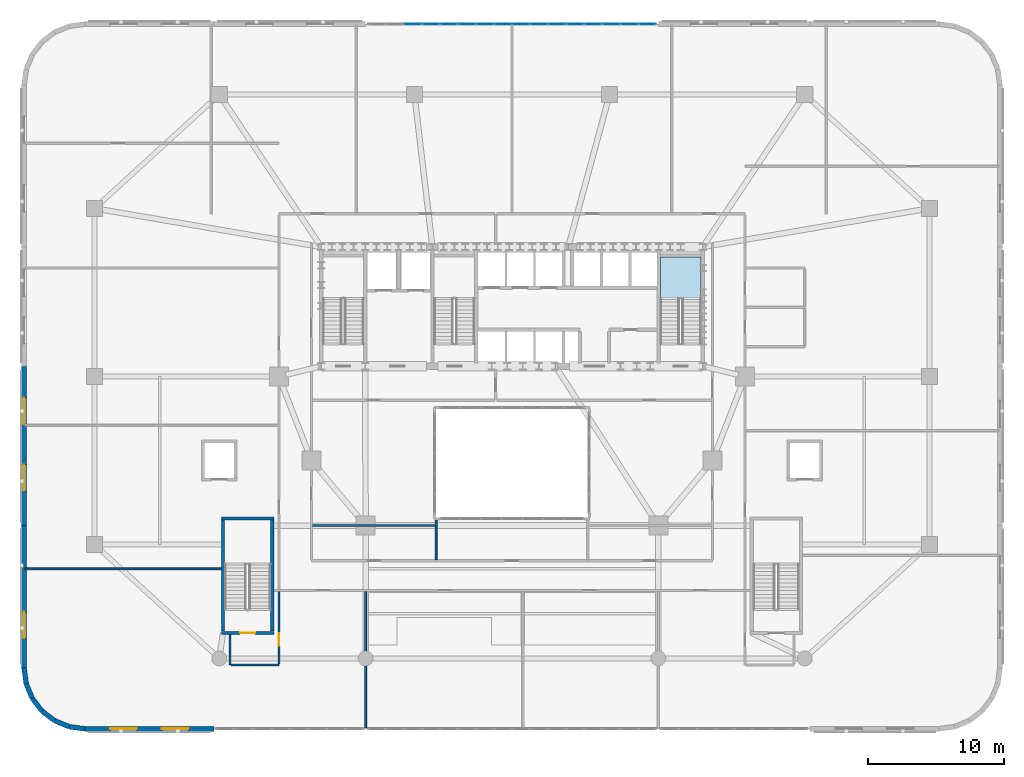
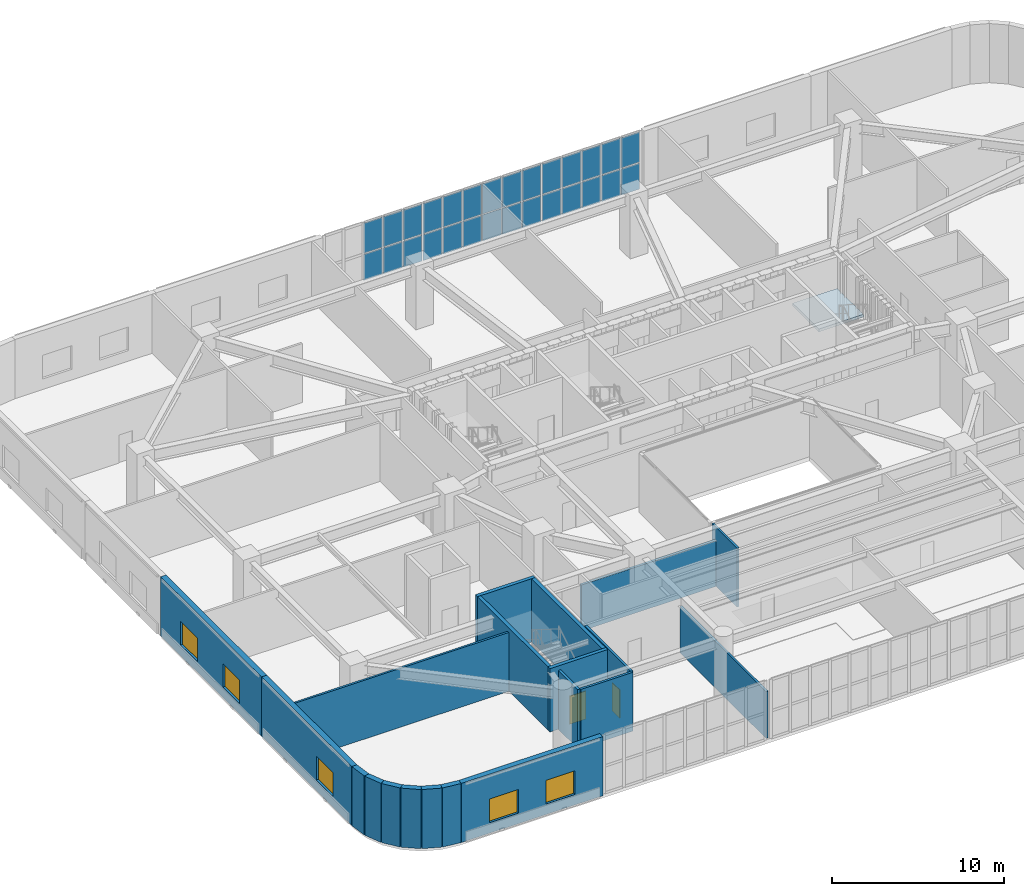
# One storey, part 13 of 25: 28 plates, 20 walls, 5 windows, 2 doors, 1 slab, 7 openings, 2 elements without a shape of their own.
"""IFC4 building model written with IfcOpenShell, lengths in metres."""

from ifc_helpers import new_model, si_unit, direction, frame, frame_2d, origin, origin_2d, place, context, subcontext, project, spatial, polyline, rectangle, outline, extrude, material, layer, layer_set, type_object, element, fill, aggregate, save


model = new_model("IFC4")

# Units and contexts
model_context = context("Model", 3, precision=1e-05, world=origin(), true_north=direction((0.0, 1.0)))
body_context = subcontext(model_context, "Body", "Model", "MODEL_VIEW")
ifc_project = project(units=[si_unit("LENGTHUNIT", "METRE"), si_unit("AREAUNIT", "SQUARE_METRE"), si_unit("VOLUMEUNIT", "CUBIC_METRE"), si_unit("PLANEANGLEUNIT", "RADIAN"), si_unit("MASSUNIT", "GRAM", prefix="KILO")], contexts=[model_context])

# Site, building, storey
site_placement = place(None, origin())
site = spatial("IfcSite", under=ifc_project, at=site_placement, CompositionType="ELEMENT")
building_placement = place(site_placement, origin())
building = spatial("IfcBuilding", under=site, at=building_placement, Name="Haldorwick Loom Tower", CompositionType="ELEMENT")
storey_placement = place(building_placement, frame((0.0, 0.0, 10.5)))
storey = spatial("IfcBuildingStorey", under=building, at=storey_placement, Name="L02", CompositionType="ELEMENT", Elevation=10.5)

# Curtain wall, plates
ifc_material_1 = material(Name="Thermally Broken Anodized Aluminium Curtain Wall Framing", Category="aluminium")
curtain_wall_type = type_object("IfcCurtainWallType", Name="ARC-CW-02", PredefinedType="NOTDEFINED", material=ifc_material_1)
curtain_wall_placement = place(storey_placement, origin())
curtain_wall = element("IfcCurtainWall", 1, at=curtain_wall_placement, inside=storey, type_object=curtain_wall_type, Name="L02 Facade Curtain Wall CW-02 Bay 19", PredefinedType="NOTDEFINED")
ifc_material_2 = material(Name="Triple-Glazed Low-E Argon Insulated Glazing Unit", Category="glass")
ifc_layer_1 = layer(ifc_material_2, 0.0400390625, Name="Triple-Glazed Low-E Argon Insulated Glazing Unit", Category="glass")
ifc_layer_set_1 = layer_set([ifc_layer_1], Name="Triple-Glazed Low-E Argon Insulated Glazing Unit")
plate_type = type_object("IfcPlateType", Name="ARC-CWP-02", PredefinedType="CURTAIN_PANEL", material=ifc_layer_set_1)
plate_1_placement = place(storey_placement, frame((45.976318359375, 52.0, 0.06982421875), z_axis=(0.0, 0.0, 1.0), x_axis=(-1.0, 0.0, 0.0)))
plate_1 = element("IfcPlate", 2, at=plate_1_placement, type_object=plate_type, Name="CW-02 panel 1.1", PredefinedType="CURTAIN_PANEL", context=body_context, shape_type="SweptSolid", body=[
    extrude(rectangle(XDim=1.2275390625, YDim=0.0400390625, at=origin_2d()), origin(), (0.0, 0.0, 1.0), 1.844970703125),
])
plate_2_placement = place(storey_placement, frame((45.976318359375, 52.0, 1.985107421875), z_axis=(0.0, 0.0, 1.0), x_axis=(-1.0, 0.0, 0.0)))
plate_2 = element("IfcPlate", 3, at=plate_2_placement, type_object=plate_type, Name="CW-02 panel 1.2", PredefinedType="CURTAIN_PANEL", context=body_context, shape_type="SweptSolid", body=[
    extrude(rectangle(XDim=1.2275390625, YDim=0.0400390625, at=origin_2d()), origin(), (0.0, 0.0, 1.0), 2.14501953125),
])
plate_3_placement = place(storey_placement, frame((44.6611328125, 52.0, 0.06982421875), z_axis=(0.0, 0.0, 1.0), x_axis=(-1.0, 0.0, 0.0)))
plate_3 = element("IfcPlate", 4, at=plate_3_placement, type_object=plate_type, Name="CW-02 panel 2.1", PredefinedType="CURTAIN_PANEL", context=body_context, shape_type="SweptSolid", body=[
    extrude(rectangle(XDim=1.262451171875, YDim=0.0400390625, at=origin_2d()), origin(), (0.0, 0.0, 1.0), 1.844970703125),
])
plate_4_placement = place(storey_placement, frame((44.6611328125, 52.0, 1.985107421875), z_axis=(0.0, 0.0, 1.0), x_axis=(-1.0, 0.0, 0.0)))
plate_4 = element("IfcPlate", 5, at=plate_4_placement, type_object=plate_type, Name="CW-02 panel 2.2", PredefinedType="CURTAIN_PANEL", context=body_context, shape_type="SweptSolid", body=[
    extrude(rectangle(XDim=1.262451171875, YDim=0.0400390625, at=origin_2d()), origin(), (0.0, 0.0, 1.0), 2.14501953125),
])
plate_5_placement = place(storey_placement, frame((43.328857421875, 52.0, 0.06982421875), z_axis=(0.0, 0.0, 1.0), x_axis=(-1.0, 0.0, 0.0)))
plate_5 = element("IfcPlate", 6, at=plate_5_placement, type_object=plate_type, Name="CW-02 panel 3.1", PredefinedType="CURTAIN_PANEL", context=body_context, shape_type="SweptSolid", body=[
    extrude(rectangle(XDim=1.262451171875, YDim=0.0400390625, at=origin_2d()), origin(), (0.0, 0.0, 1.0), 1.844970703125),
])
plate_6_placement = place(storey_placement, frame((43.328857421875, 52.0, 1.985107421875), z_axis=(0.0, 0.0, 1.0), x_axis=(-1.0, 0.0, 0.0)))
plate_6 = element("IfcPlate", 7, at=plate_6_placement, type_object=plate_type, Name="CW-02 panel 3.2", PredefinedType="CURTAIN_PANEL", context=body_context, shape_type="SweptSolid", body=[
    extrude(rectangle(XDim=1.262451171875, YDim=0.0400390625, at=origin_2d()), origin(), (0.0, 0.0, 1.0), 2.14501953125),
])
plate_7_placement = place(storey_placement, frame((41.996337890625, 52.0, 0.06982421875), z_axis=(0.0, 0.0, 1.0), x_axis=(-1.0, 0.0, 0.0)))
plate_7 = element("IfcPlate", 8, at=plate_7_placement, type_object=plate_type, Name="CW-02 panel 4.1", PredefinedType="CURTAIN_PANEL", context=body_context, shape_type="SweptSolid", body=[
    extrude(rectangle(XDim=1.262451171875, YDim=0.0400390625, at=origin_2d()), origin(), (0.0, 0.0, 1.0), 1.844970703125),
])
plate_8_placement = place(storey_placement, frame((41.996337890625, 52.0, 1.985107421875), z_axis=(0.0, 0.0, 1.0), x_axis=(-1.0, 0.0, 0.0)))
plate_8 = element("IfcPlate", 9, at=plate_8_placement, type_object=plate_type, Name="CW-02 panel 4.2", PredefinedType="CURTAIN_PANEL", context=body_context, shape_type="SweptSolid", body=[
    extrude(rectangle(XDim=1.262451171875, YDim=0.0400390625, at=origin_2d()), origin(), (0.0, 0.0, 1.0), 2.14501953125),
])
plate_9_placement = place(storey_placement, frame((40.663818359375, 52.0, 0.06982421875), z_axis=(0.0, 0.0, 1.0), x_axis=(-1.0, 0.0, 0.0)))
plate_9 = element("IfcPlate", 10, at=plate_9_placement, type_object=plate_type, Name="CW-02 panel 5.1", PredefinedType="CURTAIN_PANEL", context=body_context, shape_type="SweptSolid", body=[
    extrude(rectangle(XDim=1.262451171875, YDim=0.0400390625, at=origin_2d()), origin(), (0.0, 0.0, 1.0), 1.844970703125),
])
plate_10_placement = place(storey_placement, frame((40.663818359375, 52.0, 1.985107421875), z_axis=(0.0, 0.0, 1.0), x_axis=(-1.0, 0.0, 0.0)))
plate_10 = element("IfcPlate", 11, at=plate_10_placement, type_object=plate_type, Name="CW-02 panel 5.2", PredefinedType="CURTAIN_PANEL", context=body_context, shape_type="SweptSolid", body=[
    extrude(rectangle(XDim=1.262451171875, YDim=0.0400390625, at=origin_2d()), origin(), (0.0, 0.0, 1.0), 2.14501953125),
])
plate_11_placement = place(storey_placement, frame((39.331298828125, 52.0, 0.06982421875), z_axis=(0.0, 0.0, 1.0), x_axis=(-1.0, 0.0, 0.0)))
plate_11 = element("IfcPlate", 12, at=plate_11_placement, type_object=plate_type, Name="CW-02 panel 6.1", PredefinedType="CURTAIN_PANEL", context=body_context, shape_type="SweptSolid", body=[
    extrude(rectangle(XDim=1.262451171875, YDim=0.0400390625, at=origin_2d()), origin(), (0.0, 0.0, 1.0), 1.844970703125),
])
plate_12_placement = place(storey_placement, frame((39.331298828125, 52.0, 1.985107421875), z_axis=(0.0, 0.0, 1.0), x_axis=(-1.0, 0.0, 0.0)))
plate_12 = element("IfcPlate", 13, at=plate_12_placement, type_object=plate_type, Name="CW-02 panel 6.2", PredefinedType="CURTAIN_PANEL", context=body_context, shape_type="SweptSolid", body=[
    extrude(rectangle(XDim=1.262451171875, YDim=0.0400390625, at=origin_2d()), origin(), (0.0, 0.0, 1.0), 2.14501953125),
])
plate_13_placement = place(storey_placement, frame((37.998779296875, 52.0, 0.06982421875), z_axis=(0.0, 0.0, 1.0), x_axis=(-1.0, 0.0, 0.0)))
plate_13 = element("IfcPlate", 14, at=plate_13_placement, type_object=plate_type, Name="CW-02 panel 7.1", PredefinedType="CURTAIN_PANEL", context=body_context, shape_type="SweptSolid", body=[
    extrude(rectangle(XDim=1.262451171875, YDim=0.0400390625, at=origin_2d()), origin(), (0.0, 0.0, 1.0), 1.844970703125),
])
plate_14_placement = place(storey_placement, frame((37.998779296875, 52.0, 1.985107421875), z_axis=(0.0, 0.0, 1.0), x_axis=(-1.0, 0.0, 0.0)))
plate_14 = element("IfcPlate", 15, at=plate_14_placement, type_object=plate_type, Name="CW-02 panel 7.2", PredefinedType="CURTAIN_PANEL", context=body_context, shape_type="SweptSolid", body=[
    extrude(rectangle(XDim=1.262451171875, YDim=0.0400390625, at=origin_2d()), origin(), (0.0, 0.0, 1.0), 2.14501953125),
])
plate_15_placement = place(storey_placement, frame((36.666259765625, 52.0, 0.06982421875), z_axis=(0.0, 0.0, 1.0), x_axis=(-1.0, 0.0, 0.0)))
plate_15 = element("IfcPlate", 16, at=plate_15_placement, type_object=plate_type, Name="CW-02 panel 8.1", PredefinedType="CURTAIN_PANEL", context=body_context, shape_type="SweptSolid", body=[
    extrude(rectangle(XDim=1.262451171875, YDim=0.0400390625, at=origin_2d()), origin(), (0.0, 0.0, 1.0), 1.844970703125),
])
plate_16_placement = place(storey_placement, frame((36.666259765625, 52.0, 1.985107421875), z_axis=(0.0, 0.0, 1.0), x_axis=(-1.0, 0.0, 0.0)))
plate_16 = element("IfcPlate", 17, at=plate_16_placement, type_object=plate_type, Name="CW-02 panel 8.2", PredefinedType="CURTAIN_PANEL", context=body_context, shape_type="SweptSolid", body=[
    extrude(rectangle(XDim=1.262451171875, YDim=0.0400390625, at=origin_2d()), origin(), (0.0, 0.0, 1.0), 2.14501953125),
])
plate_17_placement = place(storey_placement, frame((35.333740234375, 52.0, 0.06982421875), z_axis=(0.0, 0.0, 1.0), x_axis=(-1.0, 0.0, 0.0)))
plate_17 = element("IfcPlate", 18, at=plate_17_placement, type_object=plate_type, Name="CW-02 panel 9.1", PredefinedType="CURTAIN_PANEL", context=body_context, shape_type="SweptSolid", body=[
    extrude(rectangle(XDim=1.262451171875, YDim=0.0400390625, at=origin_2d()), origin(), (0.0, 0.0, 1.0), 1.844970703125),
])
plate_18_placement = place(storey_placement, frame((35.333740234375, 52.0, 1.985107421875), z_axis=(0.0, 0.0, 1.0), x_axis=(-1.0, 0.0, 0.0)))
plate_18 = element("IfcPlate", 19, at=plate_18_placement, type_object=plate_type, Name="CW-02 panel 9.2", PredefinedType="CURTAIN_PANEL", context=body_context, shape_type="SweptSolid", body=[
    extrude(rectangle(XDim=1.262451171875, YDim=0.0400390625, at=origin_2d()), origin(), (0.0, 0.0, 1.0), 2.14501953125),
])
plate_19_placement = place(storey_placement, frame((34.001220703125, 52.0, 0.06982421875), z_axis=(0.0, 0.0, 1.0), x_axis=(-1.0, 0.0, 0.0)))
plate_19 = element("IfcPlate", 20, at=plate_19_placement, type_object=plate_type, Name="CW-02 panel 10.1", PredefinedType="CURTAIN_PANEL", context=body_context, shape_type="SweptSolid", body=[
    extrude(rectangle(XDim=1.262451171875, YDim=0.0400390625, at=origin_2d()), origin(), (0.0, 0.0, 1.0), 1.844970703125),
])
plate_20_placement = place(storey_placement, frame((34.001220703125, 52.0, 1.985107421875), z_axis=(0.0, 0.0, 1.0), x_axis=(-1.0, 0.0, 0.0)))
plate_20 = element("IfcPlate", 21, at=plate_20_placement, type_object=plate_type, Name="CW-02 panel 10.2", PredefinedType="CURTAIN_PANEL", context=body_context, shape_type="SweptSolid", body=[
    extrude(rectangle(XDim=1.262451171875, YDim=0.0400390625, at=origin_2d()), origin(), (0.0, 0.0, 1.0), 2.14501953125),
])
plate_21_placement = place(storey_placement, frame((32.668701171875, 52.0, 0.06982421875), z_axis=(0.0, 0.0, 1.0), x_axis=(-1.0, 0.0, 0.0)))
plate_21 = element("IfcPlate", 22, at=plate_21_placement, type_object=plate_type, Name="CW-02 panel 11.1", PredefinedType="CURTAIN_PANEL", context=body_context, shape_type="SweptSolid", body=[
    extrude(rectangle(XDim=1.262451171875, YDim=0.0400390625, at=origin_2d()), origin(), (0.0, 0.0, 1.0), 1.844970703125),
])
plate_22_placement = place(storey_placement, frame((32.668701171875, 52.0, 1.985107421875), z_axis=(0.0, 0.0, 1.0), x_axis=(-1.0, 0.0, 0.0)))
plate_22 = element("IfcPlate", 23, at=plate_22_placement, type_object=plate_type, Name="CW-02 panel 11.2", PredefinedType="CURTAIN_PANEL", context=body_context, shape_type="SweptSolid", body=[
    extrude(rectangle(XDim=1.262451171875, YDim=0.0400390625, at=origin_2d()), origin(), (0.0, 0.0, 1.0), 2.14501953125),
])
plate_23_placement = place(storey_placement, frame((31.336181640625, 52.0, 0.06982421875), z_axis=(0.0, 0.0, 1.0), x_axis=(-1.0, 0.0, 0.0)))
plate_23 = element("IfcPlate", 24, at=plate_23_placement, type_object=plate_type, Name="CW-02 panel 12.1", PredefinedType="CURTAIN_PANEL", context=body_context, shape_type="SweptSolid", body=[
    extrude(rectangle(XDim=1.262451171875, YDim=0.0400390625, at=origin_2d()), origin(), (0.0, 0.0, 1.0), 1.844970703125),
])
plate_24_placement = place(storey_placement, frame((31.336181640625, 52.0, 1.985107421875), z_axis=(0.0, 0.0, 1.0), x_axis=(-1.0, 0.0, 0.0)))
plate_24 = element("IfcPlate", 25, at=plate_24_placement, type_object=plate_type, Name="CW-02 panel 12.2", PredefinedType="CURTAIN_PANEL", context=body_context, shape_type="SweptSolid", body=[
    extrude(rectangle(XDim=1.262451171875, YDim=0.0400390625, at=origin_2d()), origin(), (0.0, 0.0, 1.0), 2.14501953125),
])
plate_25_placement = place(storey_placement, frame((30.003662109375, 52.0, 0.06982421875), z_axis=(0.0, 0.0, 1.0), x_axis=(-1.0, 0.0, 0.0)))
plate_25 = element("IfcPlate", 26, at=plate_25_placement, type_object=plate_type, Name="CW-02 panel 13.1", PredefinedType="CURTAIN_PANEL", context=body_context, shape_type="SweptSolid", body=[
    extrude(rectangle(XDim=1.262451171875, YDim=0.0400390625, at=origin_2d()), origin(), (0.0, 0.0, 1.0), 1.844970703125),
])
plate_26_placement = place(storey_placement, frame((30.003662109375, 52.0, 1.985107421875), z_axis=(0.0, 0.0, 1.0), x_axis=(-1.0, 0.0, 0.0)))
plate_26 = element("IfcPlate", 27, at=plate_26_placement, type_object=plate_type, Name="CW-02 panel 13.2", PredefinedType="CURTAIN_PANEL", context=body_context, shape_type="SweptSolid", body=[
    extrude(rectangle(XDim=1.262451171875, YDim=0.0400390625, at=origin_2d()), origin(), (0.0, 0.0, 1.0), 2.14501953125),
])
plate_27_placement = place(storey_placement, frame((28.671142578125, 52.0, 0.06982421875), z_axis=(0.0, 0.0, 1.0), x_axis=(-1.0, 0.0, 0.0)))
plate_27 = element("IfcPlate", 28, at=plate_27_placement, type_object=plate_type, Name="CW-02 panel 14.1", PredefinedType="CURTAIN_PANEL", context=body_context, shape_type="SweptSolid", body=[
    extrude(rectangle(XDim=1.262451171875, YDim=0.0400390625, at=origin_2d()), origin(), (0.0, 0.0, 1.0), 1.844970703125),
])
plate_28_placement = place(storey_placement, frame((28.671142578125, 52.0, 1.985107421875), z_axis=(0.0, 0.0, 1.0), x_axis=(-1.0, 0.0, 0.0)))
plate_28 = element("IfcPlate", 29, at=plate_28_placement, type_object=plate_type, Name="CW-02 panel 14.2", PredefinedType="CURTAIN_PANEL", context=body_context, shape_type="SweptSolid", body=[
    extrude(rectangle(XDim=1.262451171875, YDim=0.0400390625, at=origin_2d()), origin(), (0.0, 0.0, 1.0), 2.14501953125),
])
aggregate(curtain_wall, [plate_1, plate_2, plate_3, plate_4, plate_5, plate_6, plate_7, plate_8, plate_9, plate_10, plate_11, plate_12, plate_13, plate_14, plate_15, plate_16, plate_17, plate_18, plate_19, plate_20, plate_21, plate_22, plate_23, plate_24, plate_25, plate_26, plate_27, plate_28])

# Stair, slab
ifc_material_3 = material(Name="Concrete C40 (40 MPa)", Category="concrete")
stair_type = type_object("IfcStairType", Name="STR-STR-CORE", PredefinedType="HALF_TURN_STAIR", material=ifc_material_3)
stair_placement = place(storey_placement, origin())
stair = element("IfcStair", 30, at=stair_placement, inside=storey, type_object=stair_type, Name="L02 Exit Stair ST-02", PredefinedType="HALF_TURN_STAIR")
ifc_layer_2 = layer(ifc_material_3, 0.199951171875, Name="Concrete C40 (40 MPa)", Category="concrete")
ifc_layer_set_2 = layer_set([ifc_layer_2], Name="Concrete C40 (40 MPa)")
slab_type = type_object("IfcSlabType", Name="STR-SLB-LAND200", PredefinedType="LANDING", material=ifc_layer_set_2)
slab_placement = place(storey_placement, frame((0.0, 0.0, 2.050048828125)))
slab = element("IfcSlab", 31, at=slab_placement, type_object=slab_type, Name="ST-02 landing 1", PredefinedType="LANDING", context=body_context, shape_type="SweptSolid", body=[
    extrude(outline(polyline([(49.949951171875, 31.760009765625), (49.949951171875, 34.800048828125), (46.949951171875, 34.800048828125), (46.949951171875, 31.760009765625), (49.949951171875, 31.760009765625)])), origin(), (0.0, 0.0, 1.0), 0.199951171875),
])
aggregate(stair, [slab])

# Wall, openings, windows
ifc_material_4 = material(Name="Pressed Clay Face Brick and Insulated Masonry Backup Assembly", Category="masonry")
ifc_layer_3 = layer(ifc_material_4, 0.360107421875, Name="Pressed Clay Face Brick and Insulated Masonry Backup Assembly", Category="masonry")
ifc_layer_set_3 = layer_set([ifc_layer_3], Name="Pressed Clay Face Brick and Insulated Masonry Backup Assembly")
wall_type_1 = type_object("IfcWallType", Name="ARC-WL-EXT360", PredefinedType="STANDARD", material=ifc_layer_set_3)
wall_1_placement = place(storey_placement, frame((0.0, 26.75, 0.0), z_axis=(0.0, 0.0, 1.0), x_axis=(0.0, -1.0, 0.0)))
wall_1 = element("IfcWall", 32, at=wall_1_placement, inside=storey, type_object=wall_type_1, Name="L02 Brick Pier and Spandrel Wall 30", PredefinedType="STANDARD", context=body_context, shape_type="SweptSolid", body=[
    extrude(rectangle(XDim=11.75, YDim=0.360107421875, at=frame_2d((5.875, 0.0))), origin(), (0.0, 0.0, 1.0), 4.199951171875),
])
opening_1_placement = place(wall_1_placement, frame((2.320068359375, 0.0, 0.75)))
opening_1 = element("IfcOpeningElement", 33, at=opening_1_placement, cuts=wall_1, Name="Opening W-04B", PredefinedType="OPENING", context=body_context, shape_type="SweptSolid", body=[
    extrude(rectangle(XDim=1.949951171875, YDim=1.679931640625, at=frame_2d((0.97509765625, 0.83984375))), frame((0.0, 0.18994140625, 0.0), z_axis=(0.0, -1.0, 0.0), x_axis=(1.0, 0.0, 0.0)), (0.0, 0.0, 1.0), 0.380126953125),
])
opening_2_placement = place(wall_1_placement, frame((7.25, 0.0, 0.75)))
opening_2 = element("IfcOpeningElement", 34, at=opening_2_placement, cuts=wall_1, Name="Opening W-04B", PredefinedType="OPENING", context=body_context, shape_type="SweptSolid", body=[
    extrude(rectangle(XDim=1.949951171875, YDim=1.679931640625, at=frame_2d((0.97509765625, 0.83984375))), frame((0.0, 0.18994140625, 0.0), z_axis=(0.0, -1.0, 0.0), x_axis=(1.0, 0.0, 0.0)), (0.0, 0.0, 1.0), 0.380126953125),
])
window_type = type_object("IfcWindowType", Name="ARC-WIN-W195", PartitioningType="SINGLE_PANEL", PredefinedType="WINDOW", material=ifc_material_2)
window_1_placement = place(opening_1_placement, origin())
window_1 = element("IfcWindow", 35, at=window_1_placement, inside=storey, type_object=window_type, Name="L02 Deep-Set Zone 7A Window 30", OverallHeight=1.679931640625, OverallWidth=1.949951171875, PartitioningType="SINGLE_PANEL", PredefinedType="WINDOW", context=body_context, shape_type="SweptSolid", body=[
    extrude(rectangle(XDim=1.949951171875, YDim=1.679931640625, at=frame_2d((0.97509765625, 0.83984375))), frame((0.0, 0.030029296875, 0.0), z_axis=(0.0, -1.0, 0.0), x_axis=(1.0, 0.0, 0.0)), (0.0, 0.0, 1.0), 0.06005859375),
])
fill(opening_1, window_1)
window_2_placement = place(opening_2_placement, origin())
window_2 = element("IfcWindow", 36, at=window_2_placement, inside=storey, type_object=window_type, Name="L02 Deep-Set Zone 7A Window 30", OverallHeight=1.679931640625, OverallWidth=1.949951171875, PartitioningType="SINGLE_PANEL", PredefinedType="WINDOW", context=body_context, shape_type="SweptSolid", body=[
    extrude(rectangle(XDim=1.949951171875, YDim=1.679931640625, at=frame_2d((0.97509765625, 0.83984375))), frame((0.0, 0.030029296875, 0.0), z_axis=(0.0, -1.0, 0.0), x_axis=(1.0, 0.0, 0.0)), (0.0, 0.0, 1.0), 0.06005859375),
])
fill(opening_2, window_2)

# Wall, opening, window
wall_2_placement = place(storey_placement, frame((0.0, 15.0, 0.0), z_axis=(0.0, 0.0, 1.0), x_axis=(0.0, -1.0, 0.0)))
wall_2 = element("IfcWall", 37, at=wall_2_placement, inside=storey, type_object=wall_type_1, Name="L02 Brick Pier and Spandrel Wall 31", PredefinedType="STANDARD", context=body_context, shape_type="SweptSolid", body=[
    extrude(rectangle(XDim=10.5, YDim=0.360107421875, at=frame_2d((5.25, 0.0))), origin(), (0.0, 0.0, 1.0), 4.199951171875),
])
opening_3_placement = place(wall_2_placement, frame((6.375, 0.0, 0.75)))
opening_3 = element("IfcOpeningElement", 38, at=opening_3_placement, cuts=wall_2, Name="Opening W-04B", PredefinedType="OPENING", context=body_context, shape_type="SweptSolid", body=[
    extrude(rectangle(XDim=1.949951171875, YDim=1.679931640625, at=frame_2d((0.97509765625, 0.83984375))), frame((0.0, 0.18994140625, 0.0), z_axis=(0.0, -1.0, 0.0), x_axis=(1.0, 0.0, 0.0)), (0.0, 0.0, 1.0), 0.380126953125),
])
window_3_placement = place(opening_3_placement, origin())
window_3 = element("IfcWindow", 39, at=window_3_placement, inside=storey, type_object=window_type, Name="L02 Deep-Set Zone 7A Window 31", OverallHeight=1.679931640625, OverallWidth=1.949951171875, PartitioningType="SINGLE_PANEL", PredefinedType="WINDOW", context=body_context, shape_type="SweptSolid", body=[
    extrude(rectangle(XDim=1.949951171875, YDim=1.679931640625, at=frame_2d((0.97509765625, 0.83984375))), frame((0.0, 0.030029296875, 0.0), z_axis=(0.0, -1.0, 0.0), x_axis=(1.0, 0.0, 0.0)), (0.0, 0.0, 1.0), 0.06005859375),
])
fill(opening_3, window_3)

# Walls
wall_3_placement = place(storey_placement, frame((0.0, 4.5, 0.0), z_axis=(0.0, 0.0, 1.0), x_axis=(0.130502892298, -0.991447928588, 0.0)))
element("IfcWall", 40, at=wall_3_placement, inside=storey, type_object=wall_type_1, Name="L02 Brick Pier and Spandrel Wall 32", PredefinedType="STANDARD", context=body_context, shape_type="SweptSolid", body=[
    extrude(rectangle(XDim=1.1748046875, YDim=0.360107421875, at=frame_2d((0.58740234375, 0.0))), origin(), (0.0, 0.0, 1.0), 4.199951171875),
])
wall_4_placement = place(storey_placement, frame((0.1533203125, 3.335205078125, 0.0), z_axis=(0.0, 0.0, 1.0), x_axis=(0.382651625058, -0.923892706888, 0.0)))
element("IfcWall", 41, at=wall_4_placement, inside=storey, type_object=wall_type_1, Name="L02 Brick Pier and Spandrel Wall 33", PredefinedType="STANDARD", context=body_context, shape_type="SweptSolid", body=[
    extrude(rectangle(XDim=1.174560546875, YDim=0.360107421875, at=frame_2d((0.58740234375, 0.0))), origin(), (0.0, 0.0, 1.0), 4.199951171875),
])
for number, where, z_axis, x_axis, name in (
    (42, (0.602783203125, 2.25, 0.0), (0.0, 0.0, 1.0), (0.60890698735, -0.79324162823, 0.0), "L02 Brick Pier and Spandrel Wall 34"),
    (43, (1.318115234375, 1.318115234375, 0.0), (0.0, 0.0, 1.0), (0.79324162823, -0.60890698735, 0.0), "L02 Brick Pier and Spandrel Wall 35"),
):
    element("IfcWall", number, at=place(storey_placement, frame(where, z_axis=z_axis, x_axis=x_axis)), inside=storey, type_object=wall_type_1, Name=name, PredefinedType="STANDARD", context=body_context, shape_type="SweptSolid", body=[
        extrude(rectangle(XDim=1.1748046875, YDim=0.360107421875, at=frame_2d((0.58740234375, 0.0))), origin(), (0.0, 0.0, 1.0), 4.199951171875),
    ])
wall_5_placement = place(storey_placement, frame((2.25, 0.602783203125, 0.0), z_axis=(0.0, 0.0, 1.0), x_axis=(0.923892706888, -0.382651625058, 0.0)))
element("IfcWall", 44, at=wall_5_placement, inside=storey, type_object=wall_type_1, Name="L02 Brick Pier and Spandrel Wall 36", PredefinedType="STANDARD", context=body_context, shape_type="SweptSolid", body=[
    extrude(rectangle(XDim=1.174560546875, YDim=0.360107421875, at=frame_2d((0.58740234375, 0.0))), origin(), (0.0, 0.0, 1.0), 4.199951171875),
])
wall_6_placement = place(storey_placement, frame((3.335205078125, 0.1533203125, 0.0), z_axis=(0.0, 0.0, 1.0), x_axis=(0.991447928588, -0.130502892298, 0.0)))
element("IfcWall", 45, at=wall_6_placement, inside=storey, type_object=wall_type_1, Name="L02 Brick Pier and Spandrel Wall 37", PredefinedType="STANDARD", context=body_context, shape_type="SweptSolid", body=[
    extrude(rectangle(XDim=1.1748046875, YDim=0.360107421875, at=frame_2d((0.58740234375, 0.0))), origin(), (0.0, 0.0, 1.0), 4.199951171875),
])

# Wall, openings, windows
wall_7_placement = place(storey_placement, frame((4.5, 0.0, 0.0), z_axis=(0.0, 0.0, 1.0), x_axis=(1.0, 0.0, 0.0)))
wall_7 = element("IfcWall", 46, at=wall_7_placement, inside=storey, type_object=wall_type_1, Name="L02 Brick Pier and Spandrel Wall 38", PredefinedType="STANDARD", context=body_context, shape_type="SweptSolid", body=[
    extrude(rectangle(XDim=9.5, YDim=0.360107421875, at=frame_2d((4.75, 0.0))), origin(), (0.0, 0.0, 1.0), 4.199951171875),
])
opening_4_placement = place(wall_7_placement, frame((1.875, 0.0, 0.75)))
opening_4 = element("IfcOpeningElement", 47, at=opening_4_placement, cuts=wall_7, Name="Opening W-04B", PredefinedType="OPENING", context=body_context, shape_type="SweptSolid", body=[
    extrude(rectangle(XDim=1.949951171875, YDim=1.679931640625, at=frame_2d((0.97509765625, 0.83984375))), frame((0.0, 0.18994140625, 0.0), z_axis=(0.0, -1.0, 0.0), x_axis=(1.0, 0.0, 0.0)), (0.0, 0.0, 1.0), 0.380126953125),
])
opening_5_placement = place(wall_7_placement, frame((5.675048828125, 0.0, 0.75)))
opening_5 = element("IfcOpeningElement", 48, at=opening_5_placement, cuts=wall_7, Name="Opening W-04B", PredefinedType="OPENING", context=body_context, shape_type="SweptSolid", body=[
    extrude(rectangle(XDim=1.949951171875, YDim=1.679931640625, at=frame_2d((0.97509765625, 0.83984375))), frame((0.0, 0.18994140625, 0.0), z_axis=(0.0, -1.0, 0.0), x_axis=(1.0, 0.0, 0.0)), (0.0, 0.0, 1.0), 0.380126953125),
])
window_4_placement = place(opening_4_placement, origin())
window_4 = element("IfcWindow", 49, at=window_4_placement, inside=storey, type_object=window_type, Name="L02 Deep-Set Zone 7A Window 38", OverallHeight=1.679931640625, OverallWidth=1.949951171875, PartitioningType="SINGLE_PANEL", PredefinedType="WINDOW", context=body_context, shape_type="SweptSolid", body=[
    extrude(rectangle(XDim=1.949951171875, YDim=1.679931640625, at=frame_2d((0.97509765625, 0.83984375))), frame((0.0, 0.030029296875, 0.0), z_axis=(0.0, -1.0, 0.0), x_axis=(1.0, 0.0, 0.0)), (0.0, 0.0, 1.0), 0.06005859375),
])
fill(opening_4, window_4)
window_5_placement = place(opening_5_placement, origin())
window_5 = element("IfcWindow", 50, at=window_5_placement, inside=storey, type_object=window_type, Name="L02 Deep-Set Zone 7A Window 38", OverallHeight=1.679931640625, OverallWidth=1.949951171875, PartitioningType="SINGLE_PANEL", PredefinedType="WINDOW", context=body_context, shape_type="SweptSolid", body=[
    extrude(rectangle(XDim=1.949951171875, YDim=1.679931640625, at=frame_2d((0.97509765625, 0.83984375))), frame((0.0, 0.030029296875, 0.0), z_axis=(0.0, -1.0, 0.0), x_axis=(1.0, 0.0, 0.0)), (0.0, 0.0, 1.0), 0.06005859375),
])
fill(opening_5, window_5)

# Walls
ifc_material_5 = material(Name="Fire-Rated Type X Gypsum Stud Assembly EI 60")
ifc_layer_4 = layer(ifc_material_5, 0.159912109375, Name="Fire-Rated Type X Gypsum Stud Assembly EI 60")
ifc_layer_set_4 = layer_set([ifc_layer_4], Name="Fire-Rated Type X Gypsum Stud Assembly EI 60")
wall_type_2 = type_object("IfcWallType", Name="ARC-WL-FIRE160", PredefinedType="PARTITIONING", material=ifc_layer_set_4)
wall_8_placement = place(storey_placement, frame((15.199951171875, 4.699951171875, 0.0), z_axis=(0.0, 0.0, 1.0), x_axis=(0.0, 1.0, 0.0)))
element("IfcWall", 51, at=wall_8_placement, inside=storey, type_object=wall_type_2, Name="L02 Podium Partition L02-SP1W", PredefinedType="PARTITIONING", context=body_context, shape_type="SweptSolid", body=[
    extrude(rectangle(XDim=2.257080078125, YDim=0.159912109375, at=frame_2d((1.12841796875, 0.0))), origin(), (0.0, 0.0, 1.0), 4.18505859375),
])
wall_9_placement = place(storey_placement, frame((15.282958984375, 4.699951171875, 0.0), z_axis=(0.0, 0.0, 1.0), x_axis=(1.0, 0.0, 0.0)))
element("IfcWall", 52, at=wall_9_placement, inside=storey, type_object=wall_type_2, Name="L02 Podium Partition L02-SP1S", PredefinedType="PARTITIONING", context=body_context, shape_type="SweptSolid", body=[
    extrude(rectangle(XDim=3.51708984375, YDim=0.159912109375, at=frame_2d((1.758544921875, 0.0))), origin(), (0.0, 0.0, 1.0), 4.18505859375),
])

# Wall, opening, door
wall_10_placement = place(storey_placement, frame((18.800048828125, 4.782958984375, 0.0), z_axis=(0.0, 0.0, 1.0), x_axis=(0.0, 1.0, 0.0)))
wall_10 = element("IfcWall", 53, at=wall_10_placement, inside=storey, type_object=wall_type_2, Name="L02 Podium Partition L02-SP1E", PredefinedType="PARTITIONING", context=body_context, shape_type="SweptSolid", body=[
    extrude(rectangle(XDim=5.333984375, YDim=0.159912109375, at=frame_2d((2.6669921875, 0.0))), origin(), (0.0, 0.0, 1.0), 4.18505859375),
])
opening_6_placement = place(wall_10_placement, frame((1.35302734375, 0.0, 0.0)))
opening_6 = element("IfcOpeningElement", 54, at=opening_6_placement, cuts=wall_10, Name="Opening D-FD60A", PredefinedType="OPENING", context=body_context, shape_type="SweptSolid", body=[
    extrude(rectangle(XDim=0.89990234375, YDim=2.0, at=frame_2d((0.449951171875, 1.0))), frame((0.0, 0.08984375, 0.0), z_axis=(0.0, -1.0, 0.0), x_axis=(1.0, 0.0, 0.0)), (0.0, 0.0, 1.0), 0.179931640625),
])
ifc_material_6 = material(Name="Hollow Steel Fire Door Assembly", Category="steel")
door_type_1 = type_object("IfcDoorType", Name="ARC-DR-FD60-90", OperationType="NOTDEFINED", PredefinedType="DOOR", material=ifc_material_6)
door_1_placement = place(opening_6_placement, frame((0.89990234375, 0.0, 0.0), z_axis=(0.0, 0.0, 1.0), x_axis=(-1.0, 0.0, 0.0)))
door_1 = element("IfcDoor", 55, at=door_1_placement, inside=storey, type_object=door_type_1, Name="L02 L02 West Stair Vestibule to Outpatient Waiting Hall 3 Door", OperationType="SINGLE_SWING_RIGHT", OverallHeight=2.0, OverallWidth=0.89990234375, PredefinedType="DOOR", context=body_context, shape_type="SweptSolid", body=[
    extrude(rectangle(XDim=0.89990234375, YDim=2.0, at=frame_2d((0.449951171875, 1.0))), frame((0.0, 0.02490234375, 0.0), z_axis=(0.0, -1.0, 0.0), x_axis=(1.0, 0.0, 0.0)), (0.0, 0.0, 1.0), 0.050048828125),
])
fill(opening_6, door_1)

# Walls
wall_11_placement = place(storey_placement, frame((21.282958984375, 15.0, 0.0), z_axis=(0.0, 0.0, 1.0), x_axis=(1.0, 0.0, 0.0)))
element("IfcWall", 56, at=wall_11_placement, inside=storey, type_object=wall_type_2, Name="L02 Podium Partition L02-PTW", PredefinedType="PARTITIONING", context=body_context, shape_type="SweptSolid", body=[
    extrude(rectangle(XDim=9.0439453125, YDim=0.159912109375, at=frame_2d((4.52197265625, 0.0))), origin(), (0.0, 0.0, 1.0), 3.262939453125),
])
ifc_layer_5 = layer(ifc_material_5, 0.139892578125, Name="Fire-Rated Type X Gypsum Stud Assembly EI 60")
ifc_layer_set_5 = layer_set([ifc_layer_5], Name="Fire-Rated Type X Gypsum Stud Assembly EI 60")
wall_type_3 = type_object("IfcWallType", Name="ARC-WL-PART140", PredefinedType="PARTITIONING", material=ifc_layer_set_5)
wall_12_placement = place(storey_placement, frame((30.39990234375, 12.48291015625, 0.0), z_axis=(0.0, 0.0, 1.0), x_axis=(0.0, 1.0, 0.0)))
element("IfcWall", 57, at=wall_12_placement, inside=storey, type_object=wall_type_3, Name="L02 Podium Partition L02-ATW1", PredefinedType="PARTITIONING", context=body_context, shape_type="SweptSolid", body=[
    extrude(rectangle(XDim=2.9140625, YDim=0.139892578125, at=frame_2d((1.45703125, 0.0))), origin(), (0.0, 0.0, 1.0), 4.18505859375),
])
wall_13_placement = place(storey_placement, frame((25.199951171875, 0.10009765625, 0.0), z_axis=(0.0, 0.0, 1.0), x_axis=(0.0, 1.0, 0.0)))
element("IfcWall", 58, at=wall_13_placement, inside=storey, type_object=wall_type_3, Name="L02 Podium Partition L02-PS-0", PredefinedType="PARTITIONING", context=body_context, shape_type="SweptSolid", body=[
    extrude(rectangle(XDim=10.016845703125, YDim=0.139892578125, at=frame_2d((5.00830078125, 0.0))), origin(), (0.0, 0.0, 1.0), 3.320068359375),
])
wall_14_placement = place(storey_placement, frame((0.10009765625, 11.800048828125, 0.0), z_axis=(0.0, 0.0, 1.0), x_axis=(1.0, 0.0, 0.0)))
element("IfcWall", 59, at=wall_14_placement, inside=storey, type_object=wall_type_3, Name="L02 Podium Partition L02-PW-0", PredefinedType="PARTITIONING", context=body_context, shape_type="SweptSolid", body=[
    extrude(rectangle(XDim=14.456787109375, YDim=0.139892578125, at=frame_2d((7.228515625, 0.0))), origin(), (0.0, 0.0, 1.0), 4.18505859375),
])

# Wall, opening, door
ifc_material_7 = material(Name="Concrete C50 (50 MPa)", Category="concrete")
ifc_layer_6 = layer(ifc_material_7, 0.239990234375, Name="Concrete C50 (50 MPa)", Category="concrete")
ifc_layer_set_6 = layer_set([ifc_layer_6], Name="Concrete C50 (50 MPa)")
wall_type_4 = type_object("IfcWallType", Name="STR-WL-SHAFT240", PredefinedType="SHEAR", material=ifc_layer_set_6)
wall_15_placement = place(storey_placement, frame((14.56005859375, 7.080078125, 0.0), z_axis=(0.0, 0.0, 1.0), x_axis=(1.0, 0.0, 0.0)))
wall_15 = element("IfcWall", 60, at=wall_15_placement, inside=storey, type_object=wall_type_4, Name="L02 Exit Stairwell ST-P1 Wall", PredefinedType="SHEAR", context=body_context, shape_type="SweptSolid", body=[
    extrude(rectangle(XDim=3.8798828125, YDim=0.239990234375, at=frame_2d((1.93994140625, 0.0))), origin(), (0.0, 0.0, 1.0), 4.5),
])
opening_7_placement = place(wall_15_placement, frame((1.389892578125, 0.0, 0.0)))
opening_7 = element("IfcOpeningElement", 61, at=opening_7_placement, cuts=wall_15, Name="Opening D-FD90", PredefinedType="OPENING", context=body_context, shape_type="SweptSolid", body=[
    extrude(rectangle(XDim=1.10009765625, YDim=2.0, at=frame_2d((0.550048828125, 1.0))), frame((0.0, 0.1298828125, 0.0), z_axis=(0.0, -1.0, 0.0), x_axis=(1.0, 0.0, 0.0)), (0.0, 0.0, 1.0), 0.260009765625),
])
door_type_2 = type_object("IfcDoorType", Name="ARC-DR-FD90", OperationType="NOTDEFINED", PredefinedType="DOOR", material=ifc_material_6)
door_2_placement = place(opening_7_placement, origin())
door_2 = element("IfcDoor", 62, at=door_2_placement, inside=storey, type_object=door_type_2, Name="L02 Exit Stairwell ST-P1 Exit Door", OperationType="SINGLE_SWING_LEFT", OverallHeight=2.0, OverallWidth=1.10009765625, PredefinedType="DOOR", context=body_context, shape_type="SweptSolid", body=[
    extrude(rectangle(XDim=1.10009765625, YDim=2.0, at=frame_2d((0.550048828125, 1.0))), frame((0.0, 0.02490234375, 0.0), z_axis=(0.0, -1.0, 0.0), x_axis=(1.0, 0.0, 0.0)), (0.0, 0.0, 1.0), 0.050048828125),
])
fill(opening_7, door_2)

# Walls
wall_16_placement = place(storey_placement, frame((18.43994140625, 15.52001953125, 0.0), z_axis=(0.0, 0.0, 1.0), x_axis=(-1.0, 0.0, 0.0)))
element("IfcWall", 63, at=wall_16_placement, inside=storey, type_object=wall_type_4, Name="L02 Exit Stairwell ST-P1 Wall", PredefinedType="SHEAR", context=body_context, shape_type="SweptSolid", body=[
    extrude(rectangle(XDim=3.8798828125, YDim=0.239990234375, at=frame_2d((1.93994140625, 0.0))), origin(), (0.0, 0.0, 1.0), 4.5),
])
for number, where, z_axis, x_axis, name in (
    (64, (14.679931640625, 7.202880859375, 0.0), (0.0, 0.0, 1.0), (0.0, 1.0, 0.0), "L02 Exit Stairwell ST-P1 Wall"),
    (65, (18.320068359375, 7.202880859375, 0.0), (0.0, 0.0, 1.0), (0.0, 1.0, 0.0), "L02 Exit Stairwell ST-P1 Wall"),
):
    element("IfcWall", number, at=place(storey_placement, frame(where, z_axis=z_axis, x_axis=x_axis)), inside=storey, type_object=wall_type_4, Name=name, PredefinedType="SHEAR", context=body_context, shape_type="SweptSolid", body=[
        extrude(rectangle(XDim=8.194091796875, YDim=0.239990234375, at=frame_2d((4.09716796875, 0.0))), origin(), (0.0, 0.0, 1.0), 4.5),
    ])

save(model, "model.ifc")
